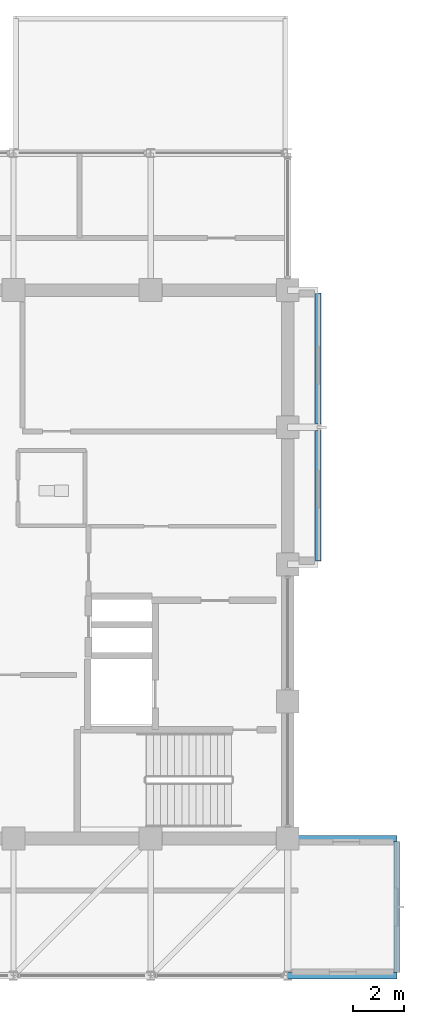
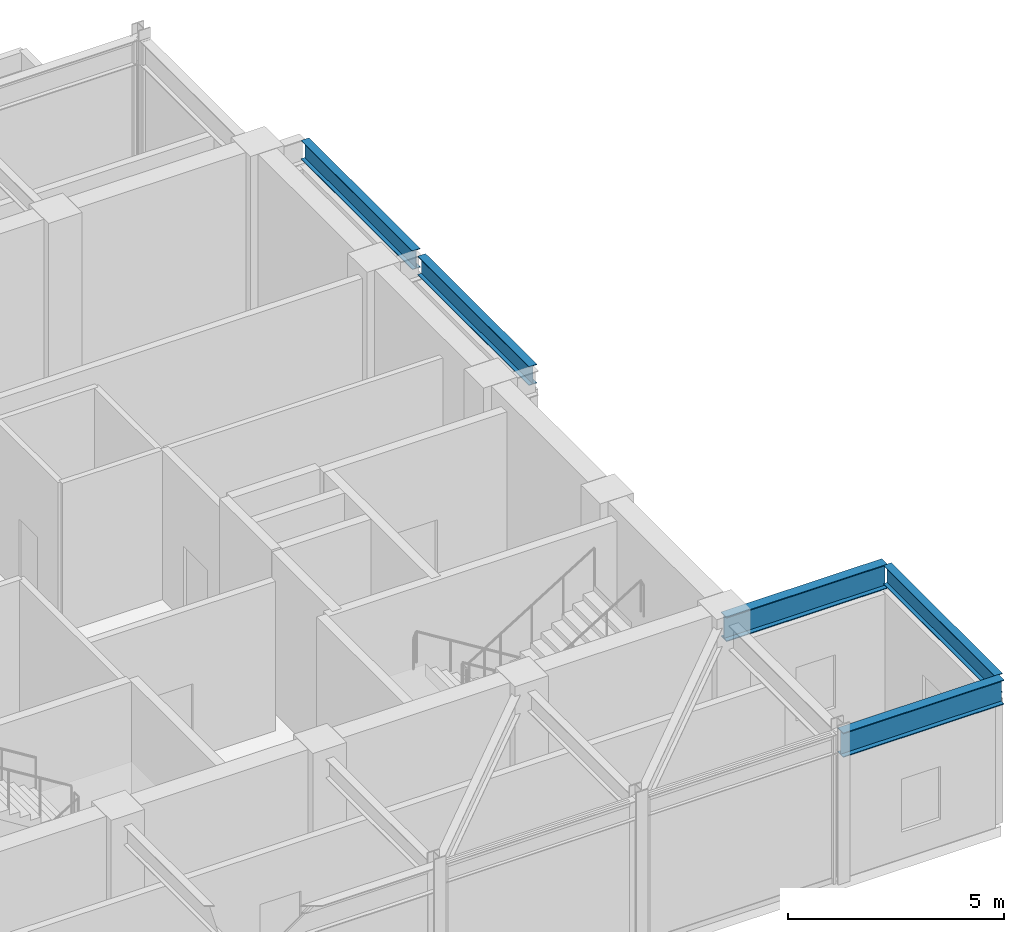
# One storey, part 10 of 18: 5 beams.
"""IFC4 building model written with IfcOpenShell, lengths in metres."""

from ifc_helpers import new_model, si_unit, direction, frame, origin, origin_2d, place, context, subcontext, project, spatial, i_section, extrude, material, material_profile, profile_set, type_object, element, save


model = new_model("IFC4")

# Units and contexts
model_context = context("Model", 3, precision=1e-05, world=origin(), true_north=direction((0.0, 1.0)))
body_context = subcontext(model_context, "Body", "Model", "MODEL_VIEW")
ifc_project = project(units=[si_unit("LENGTHUNIT", "METRE"), si_unit("AREAUNIT", "SQUARE_METRE"), si_unit("VOLUMEUNIT", "CUBIC_METRE"), si_unit("PLANEANGLEUNIT", "RADIAN"), si_unit("MASSUNIT", "GRAM", prefix="KILO")], contexts=[model_context])

# Site, building, storey
site_placement = place(None, origin())
site = spatial("IfcSite", under=ifc_project, at=site_placement, CompositionType="ELEMENT")
building_placement = place(site_placement, origin())
building = spatial("IfcBuilding", under=site, at=building_placement, Name="Surkhivell Harbour Commons", CompositionType="ELEMENT")
storey_placement = place(building_placement, frame((0.0, 0.0, 355.5)))
storey = spatial("IfcBuildingStorey", under=building, at=storey_placement, Name="L92", CompositionType="ELEMENT", Elevation=355.5)

# Beams
ifc_material_1 = material(Name="Steel S460", Category="steel")
ifc_material_profile_1 = material_profile(ifc_material_1, i_section(OverallWidth=0.256103515625, OverallDepth=0.693115234375, WebThickness=0.014404296875, FlangeThickness=0.023681640625, at=origin_2d()), Name="UB686x254x170")
ifc_profile_set_1 = profile_set([ifc_material_profile_1], Name="Steel S460")
beam_type_1 = type_object("IfcBeamType", Name="BM-CNT-686", PredefinedType="BEAM", material=ifc_profile_set_1)
for number, where, z_axis, x_axis, name in (
    (1, (10.800048828125, -16.199951171875, 3.87353515625), (1.0, 0.0, 0.0), (0.0, 1.0, 0.0), "L92 Box Cantilever Outrigger (10.8,-16.2)"),
    (2, (10.800048828125, -10.800048828125, 3.87353515625), (1.0, 0.0, 0.0), (0.0, 1.0, 0.0), "L92 Box Cantilever Outrigger (10.8,-10.8)"),
):
    element("IfcBeam", number, at=place(storey_placement, frame(where, z_axis=z_axis, x_axis=x_axis)), inside=storey, type_object=beam_type_1, Name=name, PredefinedType="BEAM", context=body_context, shape_type="SweptSolid", body=[
        extrude(i_section(OverallWidth=0.256103515625, OverallDepth=0.693115234375, WebThickness=0.014404296875, FlangeThickness=0.023681640625, at=origin_2d()), origin(), (0.0, 0.0, 1.0), 4.300048828125),
    ])
ifc_material_2 = material(Name="Steel S355", Category="steel")
ifc_material_profile_2 = material_profile(ifc_material_2, i_section(OverallWidth=0.2099609375, OverallDepth=0.537109375, WebThickness=0.0107421875, FlangeThickness=0.017333984375, at=origin_2d()), Name="UB533x210x101")
ifc_profile_set_2 = profile_set([ifc_material_profile_2], Name="Steel S355")
beam_type_2 = type_object("IfcBeamType", Name="BM-GRD-533B", PredefinedType="BEAM", material=ifc_profile_set_2)
beam_placement = place(storey_placement, frame((15.10009765625, -16.077880859375, 3.951416015625), z_axis=(0.0, 1.0, 0.0), x_axis=(-1.0, 0.0, 0.0)))
element("IfcBeam", 3, at=beam_placement, inside=storey, type_object=beam_type_2, Name="L92 Box Rim Spandrel (15.1,-16.2)", PredefinedType="BEAM", context=body_context, shape_type="SweptSolid", body=[
    extrude(i_section(OverallWidth=0.2099609375, OverallDepth=0.537109375, WebThickness=0.0107421875, FlangeThickness=0.017333984375, at=origin_2d()), origin(), (0.0, 0.0, 1.0), 5.15576171875),
])
for number, where, z_axis, x_axis, name in (
    (4, (12.0, 0.1220703125, 3.951416015625), (0.0, 1.0, 0.0), (-1.0, 0.0, 0.0), "L92 Box Rim Spandrel (12.0,0.0)"),
    (5, (12.0, 5.52197265625, 3.951416015625), (0.0, 1.0, 0.0), (-1.0, 0.0, 0.0), "L92 Box Rim Spandrel (12.0,5.4)"),
):
    element("IfcBeam", number, at=place(storey_placement, frame(where, z_axis=z_axis, x_axis=x_axis)), inside=storey, type_object=beam_type_2, Name=name, PredefinedType="BEAM", context=body_context, shape_type="SweptSolid", body=[
        extrude(i_section(OverallWidth=0.2099609375, OverallDepth=0.537109375, WebThickness=0.0107421875, FlangeThickness=0.017333984375, at=origin_2d()), origin(), (0.0, 0.0, 1.0), 5.156005859375),
    ])

save(model, "model.ifc")
